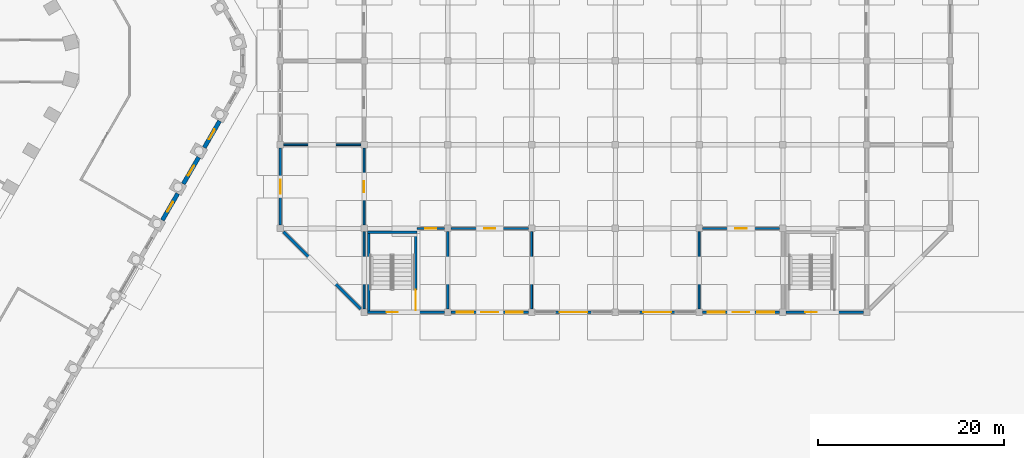
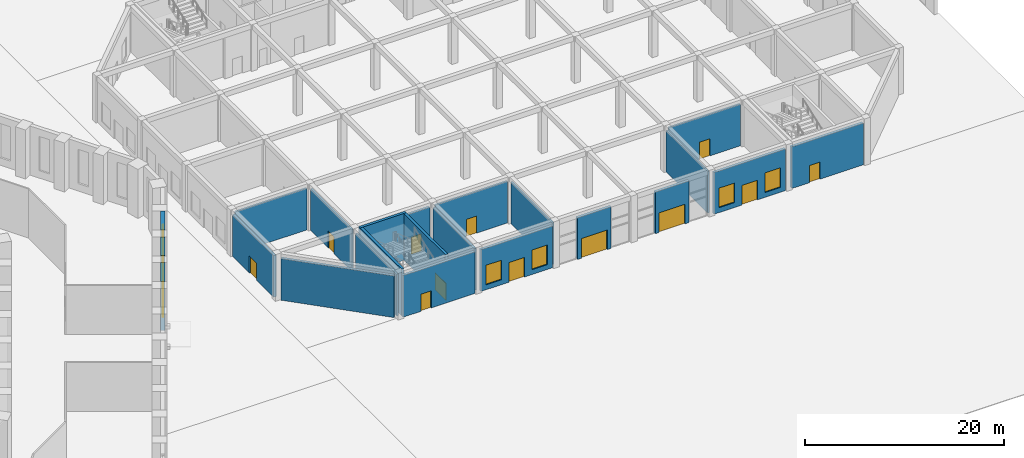
# One storey, part 24 of 44: 23 walls, 12 doors, 7 windows, 19 openings.
"""IFC4 building model written with IfcOpenShell, lengths in metres."""

from ifc_helpers import new_model, si_unit, direction, frame, frame_2d, origin, place, context, subcontext, project, spatial, rectangle, extrude, material, layer, layer_set, type_object, element, fill, save


model = new_model("IFC4")

# Units and contexts
model_context = context("Model", 3, precision=1e-05, world=origin(), true_north=direction((0.0, 1.0)))
body_context = subcontext(model_context, "Body", "Model", "MODEL_VIEW")
ifc_project = project(units=[si_unit("LENGTHUNIT", "METRE"), si_unit("AREAUNIT", "SQUARE_METRE"), si_unit("VOLUMEUNIT", "CUBIC_METRE"), si_unit("PLANEANGLEUNIT", "RADIAN"), si_unit("MASSUNIT", "GRAM", prefix="KILO")], contexts=[model_context])

# Site, building, storey
site_placement = place(None, origin())
site = spatial("IfcSite", under=ifc_project, at=site_placement, CompositionType="ELEMENT")
building_placement = place(site_placement, origin())
building = spatial("IfcBuilding", under=site, at=building_placement, Name="Dhurran Vertical Campus", CompositionType="ELEMENT")
storey_placement = place(building_placement, origin())
storey = spatial("IfcBuildingStorey", under=building, at=storey_placement, Name="L00", CompositionType="ELEMENT", Elevation=0.0)

# Wall, opening, window
ifc_material_1 = material(Name="Precast concrete C50/60", Category="concrete")
ifc_layer_1 = layer(ifc_material_1, 0.449951171875)
ifc_layer_set_1 = layer_set([ifc_layer_1], Name="Precast concrete C50/60")
wall_type_1 = type_object("IfcWallType", Name="Precast base wall 450", PredefinedType="SOLIDWALL", material=ifc_layer_set_1)
wall_1_placement = place(storey_placement, frame((48.829345703125, -17.10595703125, 0.0), z_axis=(0.0, 0.0, 1.0), x_axis=(0.49995947208, 0.866048801325, 0.0)))
wall_1 = element("IfcWall", 1, at=wall_1_placement, inside=storey, type_object=wall_type_1, Name="EW2 L00.21", PredefinedType="SOLIDWALL", context=body_context, shape_type="SweptSolid", body=[
    extrude(rectangle(XDim=3.299072265625, YDim=0.449951171875, at=frame_2d((1.6494140625, 0.0))), origin(), (0.0, 0.0, 1.0), 6.0),
])
opening_1_placement = place(wall_1_placement, frame((1.049560546875, 0.0, 0.89990234375)))
opening_1 = element("IfcOpeningElement", 2, at=opening_1_placement, cuts=wall_1, Name="Opening WT5", PredefinedType="OPENING", context=body_context, shape_type="SweptSolid", body=[
    extrude(rectangle(XDim=1.199951171875, YDim=4.199951171875, at=frame_2d((0.60009765625, 2.10009765625))), frame((0.0, 0.23486328125, 0.0), z_axis=(0.0, -1.0, 0.0), x_axis=(1.0, 0.0, 0.0)), (0.0, 0.0, 1.0), 0.469970703125),
])
ifc_material_2 = material(Name="Aluminium frame with solar-control glass", Category="aluminium")
window_type_1 = type_object("IfcWindowType", Name="Ring slot window 1200 x 4200", PartitioningType="SINGLE_PANEL", PredefinedType="WINDOW", material=ifc_material_2)
window_1_placement = place(opening_1_placement, origin())
window_1 = element("IfcWindow", 3, at=window_1_placement, inside=storey, type_object=window_type_1, Name="WT5 L00.21", OverallHeight=4.199951171875, OverallWidth=1.199951171875, PartitioningType="SINGLE_PANEL", PredefinedType="WINDOW", context=body_context, shape_type="SweptSolid", body=[
    extrude(rectangle(XDim=1.199951171875, YDim=4.199951171875, at=frame_2d((0.60009765625, 2.10009765625))), frame((0.0, 0.030029296875, 0.0), z_axis=(0.0, -1.0, 0.0), x_axis=(1.0, 0.0, 0.0)), (0.0, 0.0, 1.0), 0.06005859375),
])
fill(opening_1, window_1)

wall_2_placement = place(storey_placement, frame((51.079345703125, -13.208740234375, 0.0), z_axis=(0.0, 0.0, 1.0), x_axis=(0.499991515992, 0.866030301974, 0.0)))
wall_2 = element("IfcWall", 4, at=wall_2_placement, inside=storey, type_object=wall_type_1, Name="EW2 L00.22", PredefinedType="SOLIDWALL", context=body_context, shape_type="SweptSolid", body=[
    extrude(rectangle(XDim=3.298828125, YDim=0.449951171875, at=frame_2d((1.6494140625, 0.0))), origin(), (0.0, 0.0, 1.0), 6.0),
])
opening_2_placement = place(wall_2_placement, frame((1.049560546875, 0.0, 0.89990234375)))
opening_2 = element("IfcOpeningElement", 5, at=opening_2_placement, cuts=wall_2, Name="Opening WT5", PredefinedType="OPENING", context=body_context, shape_type="SweptSolid", body=[
    extrude(rectangle(XDim=1.199951171875, YDim=4.199951171875, at=frame_2d((0.60009765625, 2.10009765625))), frame((0.0, 0.23486328125, 0.0), z_axis=(0.0, -1.0, 0.0), x_axis=(1.0, 0.0, 0.0)), (0.0, 0.0, 1.0), 0.469970703125),
])
window_2_placement = place(opening_2_placement, origin())
window_2 = element("IfcWindow", 6, at=window_2_placement, inside=storey, type_object=window_type_1, Name="WT5 L00.22", OverallHeight=4.199951171875, OverallWidth=1.199951171875, PartitioningType="SINGLE_PANEL", PredefinedType="WINDOW", context=body_context, shape_type="SweptSolid", body=[
    extrude(rectangle(XDim=1.199951171875, YDim=4.199951171875, at=frame_2d((0.60009765625, 2.10009765625))), frame((0.0, 0.030029296875, 0.0), z_axis=(0.0, -1.0, 0.0), x_axis=(1.0, 0.0, 0.0)), (0.0, 0.0, 1.0), 0.06005859375),
])
fill(opening_2, window_2)

wall_3_placement = place(storey_placement, frame((53.329345703125, -9.311767578125, 0.0), z_axis=(0.0, 0.0, 1.0), x_axis=(0.49995947208, 0.866048801325, 0.0)))
wall_3 = element("IfcWall", 7, at=wall_3_placement, inside=storey, type_object=wall_type_1, Name="EW2 L00.23", PredefinedType="SOLIDWALL", context=body_context, shape_type="SweptSolid", body=[
    extrude(rectangle(XDim=3.299072265625, YDim=0.449951171875, at=frame_2d((1.6494140625, 0.0))), origin(), (0.0, 0.0, 1.0), 6.0),
])
opening_3_placement = place(wall_3_placement, frame((1.049560546875, 0.0, 0.89990234375)))
opening_3 = element("IfcOpeningElement", 8, at=opening_3_placement, cuts=wall_3, Name="Opening WT5", PredefinedType="OPENING", context=body_context, shape_type="SweptSolid", body=[
    extrude(rectangle(XDim=1.199951171875, YDim=4.199951171875, at=frame_2d((0.60009765625, 2.10009765625))), frame((0.0, 0.23486328125, 0.0), z_axis=(0.0, -1.0, 0.0), x_axis=(1.0, 0.0, 0.0)), (0.0, 0.0, 1.0), 0.469970703125),
])
window_3_placement = place(opening_3_placement, origin())
window_3 = element("IfcWindow", 9, at=window_3_placement, inside=storey, type_object=window_type_1, Name="WT5 L00.23", OverallHeight=4.199951171875, OverallWidth=1.199951171875, PartitioningType="SINGLE_PANEL", PredefinedType="WINDOW", context=body_context, shape_type="SweptSolid", body=[
    extrude(rectangle(XDim=1.199951171875, YDim=4.199951171875, at=frame_2d((0.60009765625, 2.10009765625))), frame((0.0, 0.030029296875, 0.0), z_axis=(0.0, -1.0, 0.0), x_axis=(1.0, 0.0, 0.0)), (0.0, 0.0, 1.0), 0.06005859375),
])
fill(opening_3, window_3)

# Wall
ifc_material_3 = material(Name="Precast concrete C40/50", Category="concrete")
ifc_layer_2 = layer(ifc_material_3, 0.300048828125)
ifc_layer_set_2 = layer_set([ifc_layer_2], Name="Precast concrete C40/50")
wall_type_2 = type_object("IfcWallType", Name="hl-external wall precast 300", PredefinedType="SOLIDWALL", material=ifc_layer_set_2)
wall_4_placement = place(storey_placement, frame((61.85009765625, -18.35009765625, 0.0), z_axis=(0.0, 0.0, 1.0), x_axis=(0.707106781187, -0.707106781187, 0.0)))
element("IfcWall", 10, at=wall_4_placement, inside=storey, type_object=wall_type_2, Name="Hall external wall L00-002", PredefinedType="SOLIDWALL", context=body_context, shape_type="SweptSolid", body=[
    extrude(rectangle(XDim=11.73779296875, YDim=0.300048828125, at=frame_2d((5.868896484375, 0.0))), origin(), (0.0, 0.0, 1.0), 5.10009765625),
])

# Wall, openings, door, windows
wall_5_placement = place(storey_placement, frame((79.85009765625, -27.0, 0.0), z_axis=(0.0, 0.0, 1.0), x_axis=(1.0, 0.0, 0.0)))
wall_5 = element("IfcWall", 11, at=wall_5_placement, inside=storey, type_object=wall_type_2, Name="Hall external wall L00-006", PredefinedType="SOLIDWALL", context=body_context, shape_type="SweptSolid", body=[
    extrude(rectangle(XDim=8.2998046875, YDim=0.300048828125, at=frame_2d((4.14990234375, 0.0))), origin(), (0.0, 0.0, 1.0), 5.10009765625),
])
opening_4_placement = place(wall_5_placement, frame((0.60009765625, 0.0, 0.60009765625)))
opening_4 = element("IfcOpeningElement", 12, at=opening_4_placement, cuts=wall_5, Name="Opening HWN2", PredefinedType="OPENING", context=body_context, shape_type="SweptSolid", body=[
    extrude(rectangle(XDim=1.800048828125, YDim=2.39990234375, at=frame_2d((0.89990234375, 1.199951171875))), frame((0.0, 0.159912109375, 0.0), z_axis=(0.0, -1.0, 0.0), x_axis=(1.0, 0.0, 0.0)), (0.0, 0.0, 1.0), 0.320068359375),
])
opening_5_placement = place(wall_5_placement, frame((3.25, 0.0, 0.0)))
opening_5 = element("IfcOpeningElement", 13, at=opening_5_placement, cuts=wall_5, Name="Opening HDE02", PredefinedType="OPENING", context=body_context, shape_type="SweptSolid", body=[
    extrude(rectangle(XDim=1.800048828125, YDim=2.39990234375, at=frame_2d((0.89990234375, 1.199951171875))), frame((0.0, 0.159912109375, 0.0), z_axis=(0.0, -1.0, 0.0), x_axis=(1.0, 0.0, 0.0)), (0.0, 0.0, 1.0), 0.320068359375),
])
opening_6_placement = place(wall_5_placement, frame((5.89990234375, 0.0, 0.60009765625)))
opening_6 = element("IfcOpeningElement", 14, at=opening_6_placement, cuts=wall_5, Name="Opening HWN2", PredefinedType="OPENING", context=body_context, shape_type="SweptSolid", body=[
    extrude(rectangle(XDim=1.800048828125, YDim=2.39990234375, at=frame_2d((0.89990234375, 1.199951171875))), frame((0.0, 0.159912109375, 0.0), z_axis=(0.0, -1.0, 0.0), x_axis=(1.0, 0.0, 0.0)), (0.0, 0.0, 1.0), 0.320068359375),
])
ifc_material_4 = material(Name="Aluminium", Category="aluminium")
door_type_1 = type_object("IfcDoorType", Name="hl-shop door double 1800x2400", OperationType="NOTDEFINED", PredefinedType="DOOR", material=ifc_material_4)
door_1_placement = place(opening_5_placement, origin())
door_1 = element("IfcDoor", 15, at=door_1_placement, inside=storey, type_object=door_type_1, Name="Door HDE02", OperationType="DOUBLE_DOOR_SINGLE_SWING", OverallHeight=2.39990234375, OverallWidth=1.800048828125, PredefinedType="DOOR", context=body_context, shape_type="SweptSolid", body=[
    extrude(rectangle(XDim=1.800048828125, YDim=2.39990234375, at=frame_2d((0.89990234375, 1.199951171875))), frame((0.0, 0.02490234375, 0.0), z_axis=(0.0, -1.0, 0.0), x_axis=(1.0, 0.0, 0.0)), (0.0, 0.0, 1.0), 0.050048828125),
])
fill(opening_5, door_1)
ifc_material_5 = material(Name="Aluminium", Category="aluminium")
window_type_2 = type_object("IfcWindowType", Name="hl-shop window 1800x2400", PartitioningType="SINGLE_PANEL", PredefinedType="WINDOW", material=ifc_material_5)
window_4_placement = place(opening_4_placement, origin())
window_4 = element("IfcWindow", 16, at=window_4_placement, inside=storey, type_object=window_type_2, Name="Hall window L00-001", OverallHeight=2.39990234375, OverallWidth=1.800048828125, PartitioningType="SINGLE_PANEL", PredefinedType="WINDOW", context=body_context, shape_type="SweptSolid", body=[
    extrude(rectangle(XDim=1.800048828125, YDim=2.39990234375, at=frame_2d((0.89990234375, 1.199951171875))), frame((0.0, 0.030029296875, 0.0), z_axis=(0.0, -1.0, 0.0), x_axis=(1.0, 0.0, 0.0)), (0.0, 0.0, 1.0), 0.06005859375),
])
fill(opening_4, window_4)
window_5_placement = place(opening_6_placement, origin())
window_5 = element("IfcWindow", 17, at=window_5_placement, inside=storey, type_object=window_type_2, Name="Hall window L00-002", OverallHeight=2.39990234375, OverallWidth=1.800048828125, PartitioningType="SINGLE_PANEL", PredefinedType="WINDOW", context=body_context, shape_type="SweptSolid", body=[
    extrude(rectangle(XDim=1.800048828125, YDim=2.39990234375, at=frame_2d((0.89990234375, 1.199951171875))), frame((0.0, 0.030029296875, 0.0), z_axis=(0.0, -1.0, 0.0), x_axis=(1.0, 0.0, 0.0)), (0.0, 0.0, 1.0), 0.06005859375),
])
fill(opening_6, window_5)

# Wall, opening, door
wall_6_placement = place(storey_placement, frame((91.050048828125, -27.0, 0.0), z_axis=(0.0, 0.0, 1.0), x_axis=(1.0, 0.0, 0.0)))
wall_6 = element("IfcWall", 18, at=wall_6_placement, inside=storey, type_object=wall_type_2, Name="Hall external wall L00-008", PredefinedType="SOLIDWALL", context=body_context, shape_type="SweptSolid", body=[
    extrude(rectangle(XDim=3.89990234375, YDim=0.300048828125, at=frame_2d((1.949951171875, 0.0))), origin(), (0.0, 0.0, 1.0), 5.10009765625),
])
opening_7_placement = place(wall_6_placement, frame((0.449951171875, 0.0, 0.0)))
opening_7 = element("IfcOpeningElement", 19, at=opening_7_placement, cuts=wall_6, Name="Opening HDE03", PredefinedType="OPENING", context=body_context, shape_type="SweptSolid", body=[
    extrude(rectangle(XDim=3.0, YDim=2.39990234375, at=frame_2d((1.5, 1.199951171875))), frame((0.0, 0.159912109375, 0.0), z_axis=(0.0, -1.0, 0.0), x_axis=(1.0, 0.0, 0.0)), (0.0, 0.0, 1.0), 0.320068359375),
])
ifc_material_6 = material(Name="Aluminium", Category="aluminium")
door_type_2 = type_object("IfcDoorType", Name="hl-entrance door sliding 3000x2400", OperationType="NOTDEFINED", PredefinedType="DOOR", material=ifc_material_6)
door_2_placement = place(opening_7_placement, origin())
door_2 = element("IfcDoor", 20, at=door_2_placement, inside=storey, type_object=door_type_2, Name="Door HDE03", OperationType="SLIDING_TO_LEFT", OverallHeight=2.39990234375, OverallWidth=3.0, PredefinedType="DOOR", context=body_context, shape_type="SweptSolid", body=[
    extrude(rectangle(XDim=3.0, YDim=2.39990234375, at=frame_2d((1.5, 1.199951171875))), frame((0.0, 0.02490234375, 0.0), z_axis=(0.0, -1.0, 0.0), x_axis=(1.0, 0.0, 0.0)), (0.0, 0.0, 1.0), 0.050048828125),
])
fill(opening_7, door_2)

wall_7_placement = place(storey_placement, frame((100.050048828125, -27.0, 0.0), z_axis=(0.0, 0.0, 1.0), x_axis=(1.0, 0.0, 0.0)))
wall_7 = element("IfcWall", 21, at=wall_7_placement, inside=storey, type_object=wall_type_2, Name="Hall external wall L00-010", PredefinedType="SOLIDWALL", context=body_context, shape_type="SweptSolid", body=[
    extrude(rectangle(XDim=3.89990234375, YDim=0.300048828125, at=frame_2d((1.949951171875, 0.0))), origin(), (0.0, 0.0, 1.0), 5.10009765625),
])
opening_8_placement = place(wall_7_placement, frame((0.449951171875, 0.0, 0.0)))
opening_8 = element("IfcOpeningElement", 22, at=opening_8_placement, cuts=wall_7, Name="Opening HDE04", PredefinedType="OPENING", context=body_context, shape_type="SweptSolid", body=[
    extrude(rectangle(XDim=3.0, YDim=2.39990234375, at=frame_2d((1.5, 1.199951171875))), frame((0.0, 0.159912109375, 0.0), z_axis=(0.0, -1.0, 0.0), x_axis=(1.0, 0.0, 0.0)), (0.0, 0.0, 1.0), 0.320068359375),
])
door_3_placement = place(opening_8_placement, origin())
door_3 = element("IfcDoor", 23, at=door_3_placement, inside=storey, type_object=door_type_2, Name="Door HDE04", OperationType="SLIDING_TO_LEFT", OverallHeight=2.39990234375, OverallWidth=3.0, PredefinedType="DOOR", context=body_context, shape_type="SweptSolid", body=[
    extrude(rectangle(XDim=3.0, YDim=2.39990234375, at=frame_2d((1.5, 1.199951171875))), frame((0.0, 0.02490234375, 0.0), z_axis=(0.0, -1.0, 0.0), x_axis=(1.0, 0.0, 0.0)), (0.0, 0.0, 1.0), 0.050048828125),
])
fill(opening_8, door_3)

# Wall, openings, door, windows
wall_8_placement = place(storey_placement, frame((106.85009765625, -27.0, 0.0), z_axis=(0.0, 0.0, 1.0), x_axis=(1.0, 0.0, 0.0)))
wall_8 = element("IfcWall", 24, at=wall_8_placement, inside=storey, type_object=wall_type_2, Name="Hall external wall L00-012", PredefinedType="SOLIDWALL", context=body_context, shape_type="SweptSolid", body=[
    extrude(rectangle(XDim=8.2998046875, YDim=0.300048828125, at=frame_2d((4.14990234375, 0.0))), origin(), (0.0, 0.0, 1.0), 5.10009765625),
])
opening_9_placement = place(wall_8_placement, frame((0.60009765625, 0.0, 0.60009765625)))
opening_9 = element("IfcOpeningElement", 25, at=opening_9_placement, cuts=wall_8, Name="Opening HWN2", PredefinedType="OPENING", context=body_context, shape_type="SweptSolid", body=[
    extrude(rectangle(XDim=1.800048828125, YDim=2.39990234375, at=frame_2d((0.89990234375, 1.199951171875))), frame((0.0, 0.159912109375, 0.0), z_axis=(0.0, -1.0, 0.0), x_axis=(1.0, 0.0, 0.0)), (0.0, 0.0, 1.0), 0.320068359375),
])
opening_10_placement = place(wall_8_placement, frame((3.25, 0.0, 0.0)))
opening_10 = element("IfcOpeningElement", 26, at=opening_10_placement, cuts=wall_8, Name="Opening HDE05", PredefinedType="OPENING", context=body_context, shape_type="SweptSolid", body=[
    extrude(rectangle(XDim=1.800048828125, YDim=2.39990234375, at=frame_2d((0.89990234375, 1.199951171875))), frame((0.0, 0.159912109375, 0.0), z_axis=(0.0, -1.0, 0.0), x_axis=(1.0, 0.0, 0.0)), (0.0, 0.0, 1.0), 0.320068359375),
])
opening_11_placement = place(wall_8_placement, frame((5.89990234375, 0.0, 0.60009765625)))
opening_11 = element("IfcOpeningElement", 27, at=opening_11_placement, cuts=wall_8, Name="Opening HWN2", PredefinedType="OPENING", context=body_context, shape_type="SweptSolid", body=[
    extrude(rectangle(XDim=1.800048828125, YDim=2.39990234375, at=frame_2d((0.89990234375, 1.199951171875))), frame((0.0, 0.159912109375, 0.0), z_axis=(0.0, -1.0, 0.0), x_axis=(1.0, 0.0, 0.0)), (0.0, 0.0, 1.0), 0.320068359375),
])
door_4_placement = place(opening_10_placement, origin())
door_4 = element("IfcDoor", 28, at=door_4_placement, inside=storey, type_object=door_type_1, Name="Door HDE05", OperationType="DOUBLE_DOOR_SINGLE_SWING", OverallHeight=2.39990234375, OverallWidth=1.800048828125, PredefinedType="DOOR", context=body_context, shape_type="SweptSolid", body=[
    extrude(rectangle(XDim=1.800048828125, YDim=2.39990234375, at=frame_2d((0.89990234375, 1.199951171875))), frame((0.0, 0.02490234375, 0.0), z_axis=(0.0, -1.0, 0.0), x_axis=(1.0, 0.0, 0.0)), (0.0, 0.0, 1.0), 0.050048828125),
])
fill(opening_10, door_4)
window_6_placement = place(opening_9_placement, origin())
window_6 = element("IfcWindow", 29, at=window_6_placement, inside=storey, type_object=window_type_2, Name="Hall window L00-003", OverallHeight=2.39990234375, OverallWidth=1.800048828125, PartitioningType="SINGLE_PANEL", PredefinedType="WINDOW", context=body_context, shape_type="SweptSolid", body=[
    extrude(rectangle(XDim=1.800048828125, YDim=2.39990234375, at=frame_2d((0.89990234375, 1.199951171875))), frame((0.0, 0.030029296875, 0.0), z_axis=(0.0, -1.0, 0.0), x_axis=(1.0, 0.0, 0.0)), (0.0, 0.0, 1.0), 0.06005859375),
])
fill(opening_9, window_6)
window_7_placement = place(opening_11_placement, origin())
window_7 = element("IfcWindow", 30, at=window_7_placement, inside=storey, type_object=window_type_2, Name="Hall window L00-004", OverallHeight=2.39990234375, OverallWidth=1.800048828125, PartitioningType="SINGLE_PANEL", PredefinedType="WINDOW", context=body_context, shape_type="SweptSolid", body=[
    extrude(rectangle(XDim=1.800048828125, YDim=2.39990234375, at=frame_2d((0.89990234375, 1.199951171875))), frame((0.0, 0.030029296875, 0.0), z_axis=(0.0, -1.0, 0.0), x_axis=(1.0, 0.0, 0.0)), (0.0, 0.0, 1.0), 0.06005859375),
])
fill(opening_11, window_7)

# Wall, opening, door
wall_9_placement = place(storey_placement, frame((61.5, -9.35009765625, 0.0), z_axis=(0.0, 0.0, 1.0), x_axis=(0.0, -1.0, 0.0)))
wall_9 = element("IfcWall", 31, at=wall_9_placement, inside=storey, type_object=wall_type_2, Name="Hall external wall L00-048", PredefinedType="SOLIDWALL", context=body_context, shape_type="SweptSolid", body=[
    extrude(rectangle(XDim=8.2998046875, YDim=0.300048828125, at=frame_2d((4.14990234375, 0.0))), origin(), (0.0, 0.0, 1.0), 5.10009765625),
])
opening_12_placement = place(wall_9_placement, frame((3.39990234375, 0.0, 0.0)))
opening_12 = element("IfcOpeningElement", 32, at=opening_12_placement, cuts=wall_9, Name="Opening HDE16", PredefinedType="OPENING", context=body_context, shape_type="SweptSolid", body=[
    extrude(rectangle(XDim=1.5, YDim=2.10009765625, at=frame_2d((0.75, 1.050048828125))), frame((0.0, 0.159912109375, 0.0), z_axis=(0.0, -1.0, 0.0), x_axis=(1.0, 0.0, 0.0)), (0.0, 0.0, 1.0), 0.320068359375),
])
ifc_material_7 = material(Name="Galvanised sheet steel", Category="steel")
door_type_3 = type_object("IfcDoorType", Name="hl-cycle store door roller 1500x2100", OperationType="NOTDEFINED", PredefinedType="DOOR", material=ifc_material_7)
door_5_placement = place(opening_12_placement, origin())
door_5 = element("IfcDoor", 33, at=door_5_placement, inside=storey, type_object=door_type_3, Name="Door HDE16", OperationType="ROLLINGUP", OverallHeight=2.10009765625, OverallWidth=1.5, PredefinedType="DOOR", context=body_context, shape_type="SweptSolid", body=[
    extrude(rectangle(XDim=1.5, YDim=2.10009765625, at=frame_2d((0.75, 1.050048828125))), frame((0.0, 0.02490234375, 0.0), z_axis=(0.0, -1.0, 0.0), x_axis=(1.0, 0.0, 0.0)), (0.0, 0.0, 1.0), 0.050048828125),
])
fill(opening_12, door_5)

ifc_material_8 = material(Name="Precast concrete C40/50", Category="concrete")
ifc_layer_3 = layer(ifc_material_8, 0.300048828125)
ifc_layer_set_3 = layer_set([ifc_layer_3], Name="Precast concrete C40/50")
wall_type_3 = type_object("IfcWallType", Name="hl-external wall precast 300 EI 120", PredefinedType="SOLIDWALL", material=ifc_layer_set_3)
wall_10_placement = place(storey_placement, frame((70.85009765625, -27.0, 0.0), z_axis=(0.0, 0.0, 1.0), x_axis=(1.0, 0.0, 0.0)))
wall_10 = element("IfcWall", 34, at=wall_10_placement, inside=storey, type_object=wall_type_3, Name="Hall external wall L00-004", PredefinedType="SOLIDWALL", context=body_context, shape_type="SweptSolid", body=[
    extrude(rectangle(XDim=8.2998046875, YDim=0.300048828125, at=frame_2d((4.14990234375, 0.0))), origin(), (0.0, 0.0, 1.0), 5.10009765625),
])
opening_13_placement = place(wall_10_placement, frame((3.27490234375, 0.0, 0.0), z_axis=(0.0, 0.0, 1.0), x_axis=(-1.0, 0.0, 0.0)))
opening_13 = element("IfcOpeningElement", 35, at=opening_13_placement, cuts=wall_10, Name="Opening HDE01", PredefinedType="OPENING", context=body_context, shape_type="SweptSolid", body=[
    extrude(rectangle(XDim=1.199951171875, YDim=2.10009765625, at=frame_2d((0.60009765625, 1.050048828125))), frame((0.0, 0.159912109375, 0.0), z_axis=(0.0, -1.0, 0.0), x_axis=(1.0, 0.0, 0.0)), (0.0, 0.0, 1.0), 0.320068359375),
])
ifc_material_9 = material(Name="Galvanised sheet steel", Category="steel")
door_type_4 = type_object("IfcDoorType", Name="hl-stair exit door 1200x2100 FD90", OperationType="NOTDEFINED", PredefinedType="DOOR", material=ifc_material_9)
door_6_placement = place(opening_13_placement, origin())
door_6 = element("IfcDoor", 36, at=door_6_placement, inside=storey, type_object=door_type_4, Name="Door HDE01", OperationType="SINGLE_SWING_LEFT", OverallHeight=2.10009765625, OverallWidth=1.199951171875, PredefinedType="DOOR", context=body_context, shape_type="SweptSolid", body=[
    extrude(rectangle(XDim=1.199951171875, YDim=2.10009765625, at=frame_2d((0.60009765625, 1.050048828125))), frame((0.0, 0.02490234375, 0.0), z_axis=(0.0, -1.0, 0.0), x_axis=(1.0, 0.0, 0.0)), (0.0, 0.0, 1.0), 0.050048828125),
])
fill(opening_13, door_6)

wall_11_placement = place(storey_placement, frame((115.85009765625, -27.0, 0.0), z_axis=(0.0, 0.0, 1.0), x_axis=(1.0, 0.0, 0.0)))
wall_11 = element("IfcWall", 37, at=wall_11_placement, inside=storey, type_object=wall_type_3, Name="Hall external wall L00-014", PredefinedType="SOLIDWALL", context=body_context, shape_type="SweptSolid", body=[
    extrude(rectangle(XDim=8.2998046875, YDim=0.300048828125, at=frame_2d((4.14990234375, 0.0))), origin(), (0.0, 0.0, 1.0), 5.10009765625),
])
opening_14_placement = place(wall_11_placement, frame((3.27490234375, 0.0, 0.0), z_axis=(0.0, 0.0, 1.0), x_axis=(-1.0, 0.0, 0.0)))
opening_14 = element("IfcOpeningElement", 38, at=opening_14_placement, cuts=wall_11, Name="Opening HDE06", PredefinedType="OPENING", context=body_context, shape_type="SweptSolid", body=[
    extrude(rectangle(XDim=1.199951171875, YDim=2.10009765625, at=frame_2d((0.60009765625, 1.050048828125))), frame((0.0, 0.159912109375, 0.0), z_axis=(0.0, -1.0, 0.0), x_axis=(1.0, 0.0, 0.0)), (0.0, 0.0, 1.0), 0.320068359375),
])
door_7_placement = place(opening_14_placement, origin())
door_7 = element("IfcDoor", 39, at=door_7_placement, inside=storey, type_object=door_type_4, Name="Door HDE06", OperationType="SINGLE_SWING_LEFT", OverallHeight=2.10009765625, OverallWidth=1.199951171875, PredefinedType="DOOR", context=body_context, shape_type="SweptSolid", body=[
    extrude(rectangle(XDim=1.199951171875, YDim=2.10009765625, at=frame_2d((0.60009765625, 1.050048828125))), frame((0.0, 0.02490234375, 0.0), z_axis=(0.0, -1.0, 0.0), x_axis=(1.0, 0.0, 0.0)), (0.0, 0.0, 1.0), 0.050048828125),
])
fill(opening_14, door_7)

# Walls
ifc_material_10 = material(Name="Masonry blockwork", Category="masonry")
ifc_layer_4 = layer(ifc_material_10, 0.199951171875)
ifc_layer_set_4 = layer_set([ifc_layer_4], Name="Masonry blockwork")
wall_type_4 = type_object("IfcWallType", Name="hl-partition blockwork 200 EI 60", PredefinedType="PARTITIONING", material=ifc_layer_set_4)
for number, where, z_axis, x_axis, name in (
    (40, (61.85009765625, -9.0, 0.0), (0.0, 0.0, 1.0), (1.0, 0.0, 0.0), "Hall partition L00-001"),
    (41, (70.5, -26.64990234375, 0.0), (0.0, 0.0, 1.0), (0.0, 1.0, 0.0), "Hall partition L00-004"),
):
    element("IfcWall", number, at=place(storey_placement, frame(where, z_axis=z_axis, x_axis=x_axis)), inside=storey, type_object=wall_type_4, Name=name, PredefinedType="PARTITIONING", context=body_context, shape_type="SweptSolid", body=[
        extrude(rectangle(XDim=8.2998046875, YDim=0.199951171875, at=frame_2d((4.14990234375, 0.0))), origin(), (0.0, 0.0, 1.0), 5.10009765625),
    ])

# Wall, opening, door
wall_12_placement = place(storey_placement, frame((70.5, -17.64990234375, 0.0), z_axis=(0.0, 0.0, 1.0), x_axis=(0.0, 1.0, 0.0)))
wall_12 = element("IfcWall", 42, at=wall_12_placement, inside=storey, type_object=wall_type_4, Name="Hall partition L00-005", PredefinedType="PARTITIONING", context=body_context, shape_type="SweptSolid", body=[
    extrude(rectangle(XDim=8.2998046875, YDim=0.199951171875, at=frame_2d((4.14990234375, 0.0))), origin(), (0.0, 0.0, 1.0), 5.10009765625),
])
opening_15_placement = place(wall_12_placement, frame((3.550048828125, 0.0, 0.0)))
opening_15 = element("IfcOpeningElement", 43, at=opening_15_placement, cuts=wall_12, Name="Opening HD007", PredefinedType="OPENING", context=body_context, shape_type="SweptSolid", body=[
    extrude(rectangle(XDim=1.199951171875, YDim=2.10009765625, at=frame_2d((0.60009765625, 1.050048828125))), frame((0.0, 0.10986328125, 0.0), z_axis=(0.0, -1.0, 0.0), x_axis=(1.0, 0.0, 0.0)), (0.0, 0.0, 1.0), 0.219970703125),
])
ifc_material_11 = material(Name="Fire-rated steel door set", Category="steel")
door_type_5 = type_object("IfcDoorType", Name="hl-door 1200x2100 single FD30S", OperationType="NOTDEFINED", PredefinedType="DOOR", material=ifc_material_11)
door_8_placement = place(opening_15_placement, origin())
door_8 = element("IfcDoor", 44, at=door_8_placement, inside=storey, type_object=door_type_5, Name="Door HD007", OperationType="SINGLE_SWING_LEFT", OverallHeight=2.10009765625, OverallWidth=1.199951171875, PredefinedType="DOOR", context=body_context, shape_type="SweptSolid", body=[
    extrude(rectangle(XDim=1.199951171875, YDim=2.10009765625, at=frame_2d((0.60009765625, 1.050048828125))), frame((0.0, 0.02490234375, 0.0), z_axis=(0.0, -1.0, 0.0), x_axis=(1.0, 0.0, 0.0)), (0.0, 0.0, 1.0), 0.050048828125),
])
fill(opening_15, door_8)

wall_13_placement = place(storey_placement, frame((79.85009765625, -18.0, 0.0), z_axis=(0.0, 0.0, 1.0), x_axis=(1.0, 0.0, 0.0)))
wall_13 = element("IfcWall", 45, at=wall_13_placement, inside=storey, type_object=wall_type_4, Name="Hall partition L00-013", PredefinedType="PARTITIONING", context=body_context, shape_type="SweptSolid", body=[
    extrude(rectangle(XDim=8.2998046875, YDim=0.199951171875, at=frame_2d((4.14990234375, 0.0))), origin(), (0.0, 0.0, 1.0), 5.10009765625),
])
opening_16_placement = place(wall_13_placement, frame((3.550048828125, 0.0, 0.0)))
opening_16 = element("IfcOpeningElement", 46, at=opening_16_placement, cuts=wall_13, Name="Opening HD005", PredefinedType="OPENING", context=body_context, shape_type="SweptSolid", body=[
    extrude(rectangle(XDim=1.199951171875, YDim=2.10009765625, at=frame_2d((0.60009765625, 1.050048828125))), frame((0.0, 0.10986328125, 0.0), z_axis=(0.0, -1.0, 0.0), x_axis=(1.0, 0.0, 0.0)), (0.0, 0.0, 1.0), 0.219970703125),
])
door_9_placement = place(opening_16_placement, origin())
door_9 = element("IfcDoor", 47, at=door_9_placement, inside=storey, type_object=door_type_5, Name="Door HD005", OperationType="SINGLE_SWING_LEFT", OverallHeight=2.10009765625, OverallWidth=1.199951171875, PredefinedType="DOOR", context=body_context, shape_type="SweptSolid", body=[
    extrude(rectangle(XDim=1.199951171875, YDim=2.10009765625, at=frame_2d((0.60009765625, 1.050048828125))), frame((0.0, 0.02490234375, 0.0), z_axis=(0.0, -1.0, 0.0), x_axis=(1.0, 0.0, 0.0)), (0.0, 0.0, 1.0), 0.050048828125),
])
fill(opening_16, door_9)

# Walls
for number, where, z_axis, x_axis, name in (
    (48, (88.5, -26.64990234375, 0.0), (0.0, 0.0, 1.0), (0.0, 1.0, 0.0), "Hall partition L00-025"),
    (49, (106.5, -26.64990234375, 0.0), (0.0, 0.0, 1.0), (0.0, 1.0, 0.0), "Hall partition L00-030"),
):
    element("IfcWall", number, at=place(storey_placement, frame(where, z_axis=z_axis, x_axis=x_axis)), inside=storey, type_object=wall_type_4, Name=name, PredefinedType="PARTITIONING", context=body_context, shape_type="SweptSolid", body=[
        extrude(rectangle(XDim=8.2998046875, YDim=0.199951171875, at=frame_2d((4.14990234375, 0.0))), origin(), (0.0, 0.0, 1.0), 5.10009765625),
    ])

# Wall, opening, door
wall_14_placement = place(storey_placement, frame((106.85009765625, -18.0, 0.0), z_axis=(0.0, 0.0, 1.0), x_axis=(1.0, 0.0, 0.0)))
wall_14 = element("IfcWall", 50, at=wall_14_placement, inside=storey, type_object=wall_type_4, Name="Hall partition L00-031", PredefinedType="PARTITIONING", context=body_context, shape_type="SweptSolid", body=[
    extrude(rectangle(XDim=8.2998046875, YDim=0.199951171875, at=frame_2d((4.14990234375, 0.0))), origin(), (0.0, 0.0, 1.0), 5.10009765625),
])
opening_17_placement = place(wall_14_placement, frame((3.550048828125, 0.0, 0.0)))
opening_17 = element("IfcOpeningElement", 51, at=opening_17_placement, cuts=wall_14, Name="Opening HD006", PredefinedType="OPENING", context=body_context, shape_type="SweptSolid", body=[
    extrude(rectangle(XDim=1.199951171875, YDim=2.10009765625, at=frame_2d((0.60009765625, 1.050048828125))), frame((0.0, 0.10986328125, 0.0), z_axis=(0.0, -1.0, 0.0), x_axis=(1.0, 0.0, 0.0)), (0.0, 0.0, 1.0), 0.219970703125),
])
door_10_placement = place(opening_17_placement, origin())
door_10 = element("IfcDoor", 52, at=door_10_placement, inside=storey, type_object=door_type_5, Name="Door HD006", OperationType="SINGLE_SWING_RIGHT", OverallHeight=2.10009765625, OverallWidth=1.199951171875, PredefinedType="DOOR", context=body_context, shape_type="SweptSolid", body=[
    extrude(rectangle(XDim=1.199951171875, YDim=2.10009765625, at=frame_2d((0.60009765625, 1.050048828125))), frame((0.0, 0.02490234375, 0.0), z_axis=(0.0, -1.0, 0.0), x_axis=(1.0, 0.0, 0.0)), (0.0, 0.0, 1.0), 0.050048828125),
])
fill(opening_17, door_10)

ifc_material_12 = material(Name="Masonry blockwork", Category="masonry")
ifc_layer_5 = layer(ifc_material_12, 0.25)
ifc_layer_set_5 = layer_set([ifc_layer_5], Name="Masonry blockwork")
wall_type_5 = type_object("IfcWallType", Name="hl-partition blockwork 250 EI 120", PredefinedType="PARTITIONING", material=ifc_layer_set_5)
wall_15_placement = place(storey_placement, frame((76.199951171875, -18.0, 0.0), z_axis=(0.0, 0.0, 1.0), x_axis=(1.0, 0.0, 0.0)))
wall_15 = element("IfcWall", 53, at=wall_15_placement, inside=storey, type_object=wall_type_5, Name="Hall partition L00-010", PredefinedType="PARTITIONING", context=body_context, shape_type="SweptSolid", body=[
    extrude(rectangle(XDim=2.949951171875, YDim=0.25, at=frame_2d((1.47509765625, 0.0))), origin(), (0.0, 0.0, 1.0), 5.10009765625),
])
opening_18_placement = place(wall_15_placement, frame((0.875, 0.0, 0.0)))
opening_18 = element("IfcOpeningElement", 54, at=opening_18_placement, cuts=wall_15, Name="Opening HD001", PredefinedType="OPENING", context=body_context, shape_type="SweptSolid", body=[
    extrude(rectangle(XDim=1.199951171875, YDim=2.10009765625, at=frame_2d((0.60009765625, 1.050048828125))), frame((0.0, 0.135009765625, 0.0), z_axis=(0.0, -1.0, 0.0), x_axis=(1.0, 0.0, 0.0)), (0.0, 0.0, 1.0), 0.27001953125),
])
ifc_material_13 = material(Name="Fire-rated steel door set", Category="steel")
door_type_6 = type_object("IfcDoorType", Name="hl-door 1200x2100 single FD90", OperationType="NOTDEFINED", PredefinedType="DOOR", material=ifc_material_13)
door_11_placement = place(opening_18_placement, origin())
door_11 = element("IfcDoor", 55, at=door_11_placement, inside=storey, type_object=door_type_6, Name="Door HD001", OperationType="SINGLE_SWING_LEFT", OverallHeight=2.10009765625, OverallWidth=1.199951171875, PredefinedType="DOOR", context=body_context, shape_type="SweptSolid", body=[
    extrude(rectangle(XDim=1.199951171875, YDim=2.10009765625, at=frame_2d((0.60009765625, 1.050048828125))), frame((0.0, 0.02490234375, 0.0), z_axis=(0.0, -1.0, 0.0), x_axis=(1.0, 0.0, 0.0)), (0.0, 0.0, 1.0), 0.050048828125),
])
fill(opening_18, door_11)

# Walls
wall_16_placement = place(storey_placement, frame((79.5, -26.64990234375, 0.0), z_axis=(0.0, 0.0, 1.0), x_axis=(0.0, 1.0, 0.0)))
element("IfcWall", 56, at=wall_16_placement, inside=storey, type_object=wall_type_5, Name="Hall partition L00-012", PredefinedType="PARTITIONING", context=body_context, shape_type="SweptSolid", body=[
    extrude(rectangle(XDim=8.2998046875, YDim=0.25, at=frame_2d((4.14990234375, 0.0))), origin(), (0.0, 0.0, 1.0), 5.10009765625),
])
ifc_material_14 = material(Name="Concrete C40/50", Category="concrete")
ifc_layer_6 = layer(ifc_material_14, 0.300048828125)
ifc_layer_set_6 = layer_set([ifc_layer_6], Name="Concrete C40/50")
wall_type_6 = type_object("IfcWallType", Name="hl-stair shaft wall 300", PredefinedType="SHEAR", material=ifc_layer_set_6)
wall_17_placement = place(storey_placement, frame((71.0, -26.85009765625, 0.0), z_axis=(0.0, 0.0, 1.0), x_axis=(0.0, 1.0, 0.0)))
element("IfcWall", 57, at=wall_17_placement, inside=storey, type_object=wall_type_6, Name="Stair shaft wall HST1 W L00", PredefinedType="SHEAR", context=body_context, shape_type="SweptSolid", body=[
    extrude(rectangle(XDim=8.300048828125, YDim=0.300048828125, at=frame_2d((4.14990234375, 0.0))), origin(), (0.0, 0.0, 1.0), 5.719970703125),
])

# Wall, opening, door
wall_18_placement = place(storey_placement, frame((76.050048828125, -26.85009765625, 0.0), z_axis=(0.0, 0.0, 1.0), x_axis=(0.0, 1.0, 0.0)))
wall_18 = element("IfcWall", 58, at=wall_18_placement, inside=storey, type_object=wall_type_6, Name="Stair shaft wall HST1 E L00", PredefinedType="SHEAR", context=body_context, shape_type="SweptSolid", body=[
    extrude(rectangle(XDim=8.300048828125, YDim=0.300048828125, at=frame_2d((4.14990234375, 0.0))), origin(), (0.0, 0.0, 1.0), 5.719970703125),
])
opening_19_placement = place(wall_18_placement, frame((0.050048828125, 0.0, 0.0)))
opening_19 = element("IfcOpeningElement", 59, at=opening_19_placement, cuts=wall_18, Name="Opening HDS01", PredefinedType="OPENING", context=body_context, shape_type="SweptSolid", body=[
    extrude(rectangle(XDim=2.199951171875, YDim=2.10009765625, at=frame_2d((1.10009765625, 1.050048828125))), frame((0.0, 0.159912109375, 0.0), z_axis=(0.0, -1.0, 0.0), x_axis=(1.0, 0.0, 0.0)), (0.0, 0.0, 1.0), 0.320068359375),
])
ifc_material_15 = material(Name="Fire-rated steel door set", Category="steel")
door_type_7 = type_object("IfcDoorType", Name="hl-door 2200x2100 double FD90", OperationType="NOTDEFINED", PredefinedType="DOOR", material=ifc_material_15)
door_12_placement = place(opening_19_placement, origin())
door_12 = element("IfcDoor", 60, at=door_12_placement, inside=storey, type_object=door_type_7, Name="Door HDS01", OperationType="DOUBLE_DOOR_SINGLE_SWING", OverallHeight=2.10009765625, OverallWidth=2.199951171875, PredefinedType="DOOR", context=body_context, shape_type="SweptSolid", body=[
    extrude(rectangle(XDim=2.199951171875, YDim=2.10009765625, at=frame_2d((1.10009765625, 1.050048828125))), frame((0.0, 0.02490234375, 0.0), z_axis=(0.0, -1.0, 0.0), x_axis=(1.0, 0.0, 0.0)), (0.0, 0.0, 1.0), 0.050048828125),
])
fill(opening_19, door_12)

# Wall
wall_19_placement = place(storey_placement, frame((70.85009765625, -18.39990234375, 0.0), z_axis=(0.0, 0.0, 1.0), x_axis=(1.0, 0.0, 0.0)))
element("IfcWall", 61, at=wall_19_placement, inside=storey, type_object=wall_type_6, Name="Stair shaft wall HST1 F L00", PredefinedType="SHEAR", context=body_context, shape_type="SweptSolid", body=[
    extrude(rectangle(XDim=5.349853515625, YDim=0.300048828125, at=frame_2d((2.6748046875, 0.0))), origin(), (0.0, 0.0, 1.0), 5.719970703125),
])

save(model, "model.ifc")
